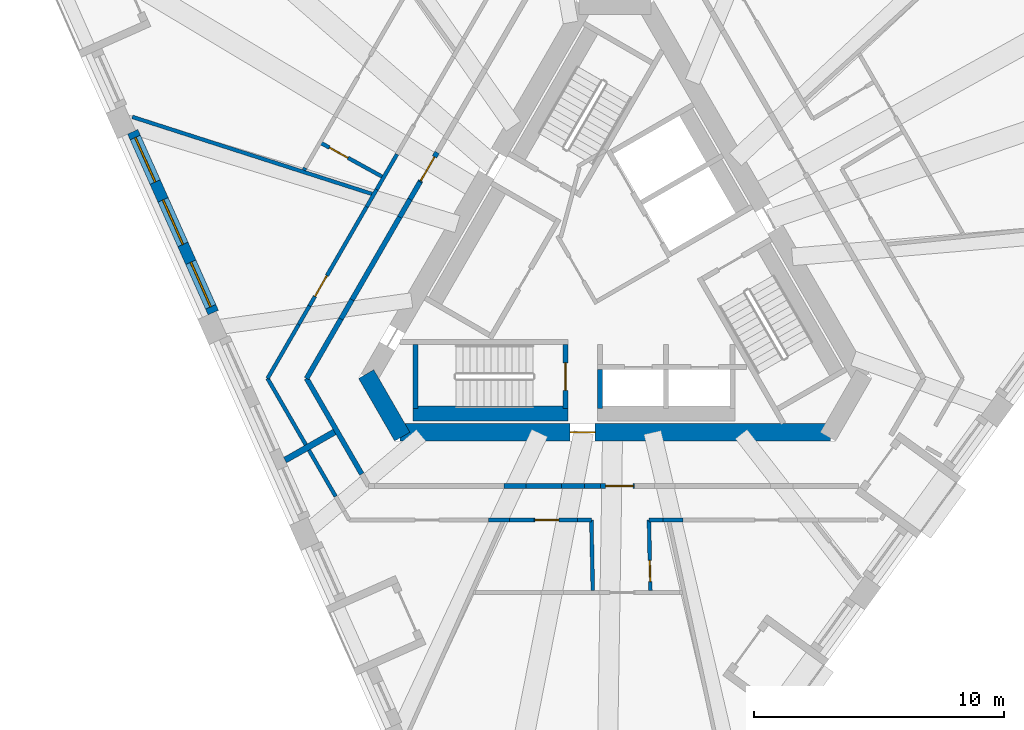
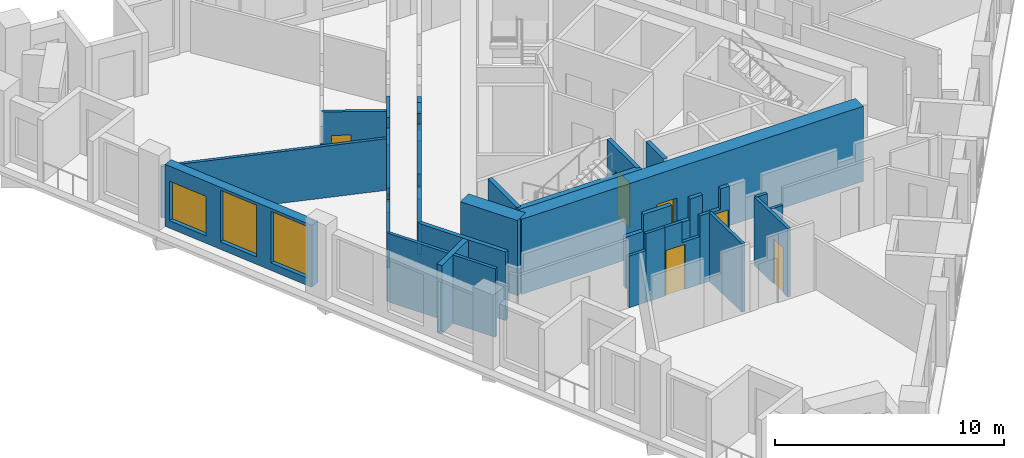
# One storey, part 3 of 11: 37 walls, 8 doors, 3 windows, 11 openings.
"""IFC4 building model written with IfcOpenShell, lengths in metres."""

from ifc_helpers import new_model, si_unit, direction, frame, frame_2d, origin, place, context, subcontext, project, spatial, polyline, rectangle, outline, extrude, material, layer, layer_set, type_object, element, fill, save


model = new_model("IFC4")

# Units and contexts
model_context = context("Model", 3, precision=1e-05, world=origin(), true_north=direction((0.0, 1.0)))
body_context = subcontext(model_context, "Body", "Model", "MODEL_VIEW")
ifc_project = project(units=[si_unit("LENGTHUNIT", "METRE"), si_unit("AREAUNIT", "SQUARE_METRE"), si_unit("VOLUMEUNIT", "CUBIC_METRE"), si_unit("PLANEANGLEUNIT", "RADIAN"), si_unit("MASSUNIT", "GRAM", prefix="KILO")], contexts=[model_context])

# Site, building, storey
site_placement = place(None, origin())
site = spatial("IfcSite", under=ifc_project, at=site_placement, CompositionType="ELEMENT")
building_placement = place(site_placement, origin())
building = spatial("IfcBuilding", under=site, at=building_placement, Name="Tramontana Tower", CompositionType="ELEMENT")
storey_placement = place(building_placement, frame((0.0, 0.0, 245.199951171875)))
storey = spatial("IfcBuildingStorey", under=building, at=storey_placement, Name="L57", CompositionType="ELEMENT", Elevation=245.199951171875)

# Wall
ifc_material_1 = material(Name="Concrete 70 MPa", Category="concrete")
ifc_layer_1 = layer(ifc_material_1, 0.699951171875)
ifc_layer_set_1 = layer_set([ifc_layer_1], Name="Core wall 700 70 MPa")
wall_type_1 = type_object("IfcWallType", Name="Core wall 700 70 MPa", PredefinedType="SHEAR", material=ifc_layer_set_1)
wall_1_placement = place(storey_placement, frame((-9.94482421875, -4.074951171875, 0.0), z_axis=(0.0, 0.0, 1.0), x_axis=(0.499995765644, -0.866027848477, 0.0)))
element("IfcWall", 1, at=wall_1_placement, inside=storey, type_object=wall_type_1, Name="Core wall C2 L57", PredefinedType="SHEAR", context=body_context, shape_type="SweptSolid", body=[
    extrude(rectangle(XDim=2.88671875, YDim=0.699951171875, at=frame_2d((1.443359375, 0.0))), origin(), (0.0, 0.0, 1.0), 4.0),
])

# Wall, opening, door
wall_2_placement = place(storey_placement, frame((-8.6025390625, -6.39990234375, 0.0), z_axis=(0.0, 0.0, 1.0), x_axis=(1.0, 0.0, 0.0)))
wall_2 = element("IfcWall", 2, at=wall_2_placement, inside=storey, type_object=wall_type_1, Name="Core wall C3 L57", PredefinedType="SHEAR", context=body_context, shape_type="SweptSolid", body=[
    extrude(rectangle(XDim=17.205078125, YDim=0.699951171875, at=frame_2d((8.6025390625, 0.0))), origin(), (0.0, 0.0, 1.0), 4.0),
])
opening_1_placement = place(wall_2_placement, frame((6.8076171875, 0.0, 0.0)))
opening_1 = element("IfcOpeningElement", 3, at=opening_1_placement, cuts=wall_2, Name="Opening RG2", PredefinedType="OPENING", context=body_context, shape_type="SweptSolid", body=[
    extrude(rectangle(XDim=1.0, YDim=2.39990234375, at=frame_2d((0.5, 1.199951171875))), frame((0.0, 0.35986328125, 0.0), z_axis=(0.0, -1.0, 0.0), x_axis=(1.0, 0.0, 0.0)), (0.0, 0.0, 1.0), 0.719970703125),
])
ifc_material_2 = material(Name="Painted steel", Category="steel")
door_type_1 = type_object("IfcDoorType", Name="RING DOOR 1000", OperationType="SINGLE_SWING_LEFT", PredefinedType="DOOR", material=ifc_material_2)
door_1_placement = place(opening_1_placement, origin())
door_1 = element("IfcDoor", 4, at=door_1_placement, inside=storey, type_object=door_type_1, Name="Door RG2", OperationType="SINGLE_SWING_RIGHT", OverallHeight=2.39990234375, OverallWidth=1.0, PredefinedType="DOOR", context=body_context, shape_type="SweptSolid", body=[
    extrude(rectangle(XDim=1.0, YDim=2.39990234375, at=frame_2d((0.5, 1.199951171875))), frame((0.0, 0.02490234375, 0.0), z_axis=(0.0, -1.0, 0.0), x_axis=(1.0, 0.0, 0.0)), (0.0, 0.0, 1.0), 0.050048828125),
])
fill(opening_1, door_1)

ifc_material_3 = material(Name="Blockwork", Category="masonry")
ifc_layer_2 = layer(ifc_material_3, 0.199951171875)
ifc_layer_set_2 = layer_set([ifc_layer_2], Name="ENTRY WALL 200")
wall_type_2 = type_object("IfcWallType", Name="ENTRY WALL 200", PredefinedType="SOLIDWALL", material=ifc_layer_set_2)
wall_3_placement = place(storey_placement, frame((0.774169921875, -8.550048828125, 0.0), z_axis=(0.0, 0.0, 1.0), x_axis=(-1.0, 0.0, 0.0)))
wall_3 = element("IfcWall", 5, at=wall_3_placement, inside=storey, type_object=wall_type_2, Name="Wall v60-ew1-5", PredefinedType="SOLIDWALL", context=body_context, shape_type="SweptSolid", body=[
    extrude(outline(polyline([(0.0, 0.0), (1.359375, 0.0), (1.359375, 2.550048828125), (0.459228515625, 2.550048828125), (0.459228515625, 3.650146484375), (0.0, 3.650146484375), (0.0, 0.0)])), frame((0.0, 0.10009765625, 0.0), z_axis=(0.0, -1.0, 0.0), x_axis=(1.0, 0.0, 0.0)), (0.0, 0.0, 1.0), 0.199951171875),
])
opening_2_placement = place(wall_3_placement, frame((0.050048828125, 0.0, 0.0)))
opening_2 = element("IfcOpeningElement", 6, at=opening_2_placement, cuts=wall_3, Name="Opening B6A-18", PredefinedType="OPENING", context=body_context, shape_type="SweptSolid", body=[
    extrude(rectangle(XDim=1.10009765625, YDim=2.39990234375, at=frame_2d((0.550048828125, 1.199951171875))), frame((0.0, 0.10986328125, 0.0), z_axis=(0.0, -1.0, 0.0), x_axis=(1.0, 0.0, 0.0)), (0.0, 0.0, 1.0), 0.219970703125),
])
ifc_material_4 = material(Name="Painted timber", Category="wood")
door_type_2 = type_object("IfcDoorType", Name="DOOR ENTRY 1100", OperationType="SINGLE_SWING_LEFT", PredefinedType="DOOR", material=ifc_material_4)
door_2_placement = place(opening_2_placement, origin())
door_2 = element("IfcDoor", 7, at=door_2_placement, inside=storey, type_object=door_type_2, Name="Door B6A-18", OperationType="SINGLE_SWING_RIGHT", OverallHeight=2.39990234375, OverallWidth=1.10009765625, PredefinedType="DOOR", context=body_context, shape_type="SweptSolid", body=[
    extrude(rectangle(XDim=1.10009765625, YDim=2.39990234375, at=frame_2d((0.550048828125, 1.199951171875))), frame((0.0, 0.02490234375, 0.0), z_axis=(0.0, -1.0, 0.0), x_axis=(1.0, 0.0, 0.0)), (0.0, 0.0, 1.0), 0.050048828125),
])
fill(opening_2, door_2)

# Walls
wall_4_placement = place(storey_placement, frame((-0.585205078125, -8.550048828125, 0.0), z_axis=(0.0, 0.0, 1.0), x_axis=(-1.0, 0.0, 0.0)))
element("IfcWall", 8, at=wall_4_placement, inside=storey, type_object=wall_type_2, Name="Wall v60-ew1-6", PredefinedType="SOLIDWALL", context=body_context, shape_type="SweptSolid", body=[
    extrude(rectangle(XDim=0.6328125, YDim=0.199951171875, at=frame_2d((0.31640625, 0.0))), origin(), (0.0, 0.0, 1.0), 3.650146484375),
])
wall_5_placement = place(storey_placement, frame((-1.218017578125, -8.550048828125, 0.0), z_axis=(0.0, 0.0, 1.0), x_axis=(-1.0, 0.0, 0.0)))
element("IfcWall", 9, at=wall_5_placement, inside=storey, type_object=wall_type_2, Name="Wall v60-ew1-7", PredefinedType="SOLIDWALL", context=body_context, shape_type="SweptSolid", body=[
    extrude(rectangle(XDim=0.9169921875, YDim=0.199951171875, at=frame_2d((0.45849609375, 0.0))), origin(), (0.0, 0.0, 1.0), 2.550048828125),
])
wall_6_placement = place(storey_placement, frame((-2.135009765625, -8.550048828125, 0.0), z_axis=(0.0, 0.0, 1.0), x_axis=(-1.0, 0.0, 0.0)))
element("IfcWall", 10, at=wall_6_placement, inside=storey, type_object=wall_type_2, Name="Wall v60-ew1-8", PredefinedType="SOLIDWALL", context=body_context, shape_type="SweptSolid", body=[
    extrude(rectangle(XDim=1.4296875, YDim=0.199951171875, at=frame_2d((0.71484375, 0.0))), origin(), (0.0, 0.0, 1.0), 3.650146484375),
])
wall_7_placement = place(storey_placement, frame((-3.564697265625, -8.550048828125, 0.0), z_axis=(0.0, 0.0, 1.0), x_axis=(-1.0, 0.0, 0.0)))
element("IfcWall", 11, at=wall_7_placement, inside=storey, type_object=wall_type_2, Name="Wall v60-ew1-9", PredefinedType="SOLIDWALL", context=body_context, shape_type="SweptSolid", body=[
    extrude(rectangle(XDim=0.88330078125, YDim=0.199951171875, at=frame_2d((0.441650390625, 0.0))), origin(), (0.0, 0.0, 1.0), 2.75),
])
wall_8_placement = place(storey_placement, frame((-10.12255859375, -8.067138671875, 0.0), z_axis=(0.0, 0.0, 1.0), x_axis=(-0.500005339912, 0.866022320763, 0.0)))
element("IfcWall", 12, at=wall_8_placement, inside=storey, type_object=wall_type_2, Name="Wall v60-ew2-1", PredefinedType="SOLIDWALL", context=body_context, shape_type="SweptSolid", body=[
    extrude(rectangle(XDim=4.40771484375, YDim=0.199951171875, at=frame_2d((2.203857421875, 0.0))), origin(), (0.0, 0.0, 1.0), 3.650146484375),
])
wall_9_placement = place(storey_placement, frame((-12.326416015625, -4.25, 0.0), z_axis=(0.0, 0.0, 1.0), x_axis=(0.499994514761, 0.866028570666, 0.0)))
element("IfcWall", 13, at=wall_9_placement, inside=storey, type_object=wall_type_2, Name="Wall v60-ew3-0", PredefinedType="SOLIDWALL", context=body_context, shape_type="SweptSolid", body=[
    extrude(rectangle(XDim=2.74462890625, YDim=0.199951171875, at=frame_2d((1.372314453125, 0.0))), origin(), (0.0, 0.0, 1.0), 3.650146484375),
])
wall_10_placement = place(storey_placement, frame((-10.9541015625, -1.873046875, 0.0), z_axis=(0.0, 0.0, 1.0), x_axis=(0.500016243463, 0.866016025414, 0.0)))
element("IfcWall", 14, at=wall_10_placement, inside=storey, type_object=wall_type_2, Name="Wall v60-ew3-1", PredefinedType="SOLIDWALL", context=body_context, shape_type="SweptSolid", body=[
    extrude(rectangle(XDim=0.88720703125, YDim=0.199951171875, at=frame_2d((0.443603515625, 0.0))), origin(), (0.0, 0.0, 1.0), 2.949951171875),
])
wall_11_placement = place(storey_placement, frame((-10.510498046875, -1.104736328125, 0.0), z_axis=(0.0, 0.0, 1.0), x_axis=(0.499997905474, 0.866026613056, 0.0)))
element("IfcWall", 15, at=wall_11_placement, inside=storey, type_object=wall_type_2, Name="Wall v60-ew3-2", PredefinedType="SOLIDWALL", context=body_context, shape_type="SweptSolid", body=[
    extrude(rectangle(XDim=3.810546875, YDim=0.199951171875, at=frame_2d((1.9052734375, 0.0))), origin(), (0.0, 0.0, 1.0), 3.650146484375),
])
wall_12_placement = place(storey_placement, frame((-8.605224609375, 2.1953125, 0.0), z_axis=(0.0, 0.0, 1.0), x_axis=(0.499911126926, 0.866076708598, 0.0)))
element("IfcWall", 16, at=wall_12_placement, inside=storey, type_object=wall_type_2, Name="Wall v60-ew3-3", PredefinedType="SOLIDWALL", context=body_context, shape_type="SweptSolid", body=[
    extrude(rectangle(XDim=0.821533203125, YDim=0.199951171875, at=frame_2d((0.41064453125, 0.0))), origin(), (0.0, 0.0, 1.0), 2.75),
])
wall_13_placement = place(storey_placement, frame((-8.194580078125, 2.90673828125, 0.0), z_axis=(0.0, 0.0, 1.0), x_axis=(0.500211976125, 0.865902984716, 0.0)))
element("IfcWall", 17, at=wall_13_placement, inside=storey, type_object=wall_type_2, Name="Wall v60-ew3-4", PredefinedType="SOLIDWALL", context=body_context, shape_type="SweptSolid", body=[
    extrude(rectangle(XDim=0.805908203125, YDim=0.199951171875, at=frame_2d((0.40283203125, 0.0))), origin(), (0.0, 0.0, 1.0), 3.650146484375),
])

# Wall, opening, door
wall_14_placement = place(storey_placement, frame((-7.79150390625, 3.6044921875, 0.0), z_axis=(0.0, 0.0, 1.0), x_axis=(0.500002290144, 0.866024081565, 0.0)))
wall_14 = element("IfcWall", 18, at=wall_14_placement, inside=storey, type_object=wall_type_2, Name="Wall v60-ew3-5", PredefinedType="SOLIDWALL", context=body_context, shape_type="SweptSolid", body=[
    extrude(outline(polyline([(0.0, 0.0), (1.359375, 0.0), (1.359375, 2.550048828125), (0.459228515625, 2.550048828125), (0.459228515625, 3.650146484375), (0.0, 3.650146484375), (0.0, 0.0)])), frame((0.0, 0.10009765625, 0.0), z_axis=(0.0, -1.0, 0.0), x_axis=(1.0, 0.0, 0.0)), (0.0, 0.0, 1.0), 0.199951171875),
])
opening_3_placement = place(wall_14_placement, frame((0.050048828125, 0.0, 0.0)))
opening_3 = element("IfcOpeningElement", 19, at=opening_3_placement, cuts=wall_14, Name="Opening B6A-17", PredefinedType="OPENING", context=body_context, shape_type="SweptSolid", body=[
    extrude(rectangle(XDim=1.10009765625, YDim=2.39990234375, at=frame_2d((0.550048828125, 1.199951171875))), frame((0.0, 0.10986328125, 0.0), z_axis=(0.0, -1.0, 0.0), x_axis=(1.0, 0.0, 0.0)), (0.0, 0.0, 1.0), 0.219970703125),
])
door_3_placement = place(opening_3_placement, origin())
door_3 = element("IfcDoor", 20, at=door_3_placement, inside=storey, type_object=door_type_2, Name="Door B6A-17", OperationType="SINGLE_SWING_LEFT", OverallHeight=2.39990234375, OverallWidth=1.10009765625, PredefinedType="DOOR", context=body_context, shape_type="SweptSolid", body=[
    extrude(rectangle(XDim=1.10009765625, YDim=2.39990234375, at=frame_2d((0.550048828125, 1.199951171875))), frame((0.0, 0.02490234375, 0.0), z_axis=(0.0, -1.0, 0.0), x_axis=(1.0, 0.0, 0.0)), (0.0, 0.0, 1.0), 0.050048828125),
])
fill(opening_3, door_3)

# Wall, openings, windows
ifc_material_5 = material(Name="Precast concrete 60 MPa", Category="concrete")
ifc_layer_3 = layer(ifc_material_5, 0.449951171875)
ifc_layer_set_3 = layer_set([ifc_layer_3], Name="Precast concrete 60 MPa, 450 mm")
wall_type_3 = type_object("IfcWallType", Name="EW1 Stone-faced precast wall 450", PredefinedType="SOLIDWALL", material=ifc_layer_set_3)
wall_15_placement = place(storey_placement, frame((-19.271484375, 5.606201171875, 0.0), z_axis=(0.0, 0.0, 1.0), x_axis=(0.406760076741, -0.913535023942, 0.0)))
wall_15 = element("IfcWall", 21, at=wall_15_placement, inside=storey, type_object=wall_type_3, Name="External wall L57 face 0 bay 2", PredefinedType="SOLIDWALL", context=body_context, shape_type="SweptSolid", body=[
    extrude(rectangle(XDim=7.906494140625, YDim=0.449951171875, at=frame_2d((3.953125, 0.0))), origin(), (0.0, 0.0, 1.0), 3.300048828125),
])
opening_4_placement = place(wall_15_placement, frame((0.251220703125, 0.0, 0.39990234375)))
opening_4 = element("IfcOpeningElement", 22, at=opening_4_placement, cuts=wall_15, Name="Opening M3L", PredefinedType="OPENING", context=body_context, shape_type="SweptSolid", body=[
    extrude(rectangle(XDim=1.949951171875, YDim=2.10009765625, at=frame_2d((0.97509765625, 1.050048828125))), frame((0.0, 0.23486328125, 0.0), z_axis=(0.0, -1.0, 0.0), x_axis=(1.0, 0.0, 0.0)), (0.0, 0.0, 1.0), 0.469970703125),
])
opening_5_placement = place(wall_15_placement, frame((2.978271484375, 0.0, 0.39990234375)))
opening_5 = element("IfcOpeningElement", 23, at=opening_5_placement, cuts=wall_15, Name="Opening M3", PredefinedType="OPENING", context=body_context, shape_type="SweptSolid", body=[
    extrude(rectangle(XDim=1.949951171875, YDim=2.75, at=frame_2d((0.97509765625, 1.375))), frame((0.0, 0.23486328125, 0.0), z_axis=(0.0, -1.0, 0.0), x_axis=(1.0, 0.0, 0.0)), (0.0, 0.0, 1.0), 0.469970703125),
])
opening_6_placement = place(wall_15_placement, frame((5.70556640625, 0.0, 0.39990234375)))
opening_6 = element("IfcOpeningElement", 24, at=opening_6_placement, cuts=wall_15, Name="Opening M3", PredefinedType="OPENING", context=body_context, shape_type="SweptSolid", body=[
    extrude(rectangle(XDim=1.949951171875, YDim=2.75, at=frame_2d((0.97509765625, 1.375))), frame((0.0, 0.23486328125, 0.0), z_axis=(0.0, -1.0, 0.0), x_axis=(1.0, 0.0, 0.0)), (0.0, 0.0, 1.0), 0.469970703125),
])
ifc_material_6 = material(Name="Aluminum frame, double glazing unit", Category="aluminium")
window_type_1 = type_object("IfcWindowType", Name="M3 Window 1.95 x 2.75", PartitioningType="SINGLE_PANEL", PredefinedType="WINDOW", material=ifc_material_6)
window_1_placement = place(opening_5_placement, origin())
window_1 = element("IfcWindow", 25, at=window_1_placement, inside=storey, type_object=window_type_1, Name="Window M3 L57 face 0 module 5", OverallHeight=2.75, OverallWidth=1.949951171875, PartitioningType="SINGLE_PANEL", PredefinedType="WINDOW", context=body_context, shape_type="SweptSolid", body=[
    extrude(rectangle(XDim=1.949951171875, YDim=2.75, at=frame_2d((0.97509765625, 1.375))), frame((0.0, 0.030029296875, 0.0), z_axis=(0.0, -1.0, 0.0), x_axis=(1.0, 0.0, 0.0)), (0.0, 0.0, 1.0), 0.06005859375),
])
fill(opening_5, window_1)
window_2_placement = place(opening_6_placement, origin())
window_2 = element("IfcWindow", 26, at=window_2_placement, inside=storey, type_object=window_type_1, Name="Window M3 L57 face 0 module 6", OverallHeight=2.75, OverallWidth=1.949951171875, PartitioningType="SINGLE_PANEL", PredefinedType="WINDOW", context=body_context, shape_type="SweptSolid", body=[
    extrude(rectangle(XDim=1.949951171875, YDim=2.75, at=frame_2d((0.97509765625, 1.375))), frame((0.0, 0.030029296875, 0.0), z_axis=(0.0, -1.0, 0.0), x_axis=(1.0, 0.0, 0.0)), (0.0, 0.0, 1.0), 0.06005859375),
])
fill(opening_6, window_2)
ifc_material_7 = material(Name="Aluminum frame, double glazing unit", Category="aluminium")
window_type_2 = type_object("IfcWindowType", Name="M3L Window 1.95 x 2.1", PartitioningType="SINGLE_PANEL", PredefinedType="WINDOW", material=ifc_material_7)
window_3_placement = place(opening_4_placement, origin())
window_3 = element("IfcWindow", 27, at=window_3_placement, inside=storey, type_object=window_type_2, Name="Window M3L L57 face 0 module 4", OverallHeight=2.10009765625, OverallWidth=1.949951171875, PartitioningType="SINGLE_PANEL", PredefinedType="WINDOW", context=body_context, shape_type="SweptSolid", body=[
    extrude(rectangle(XDim=1.949951171875, YDim=2.10009765625, at=frame_2d((0.97509765625, 1.050048828125))), frame((0.0, 0.030029296875, 0.0), z_axis=(0.0, -1.0, 0.0), x_axis=(1.0, 0.0, 0.0)), (0.0, 0.0, 1.0), 0.06005859375),
])
fill(opening_4, window_3)

# Walls
ifc_material_8 = material(Name="Gypsum board partition")
ifc_layer_4 = layer(ifc_material_8, 0.14990234375)
ifc_layer_set_4 = layer_set([ifc_layer_4], Name="PARTITION 150")
wall_type_4 = type_object("IfcWallType", Name="PARTITION 150", PredefinedType="PARTITIONING", material=ifc_layer_set_4)
wall_16_placement = place(storey_placement, frame((-13.88525390625, -4.25, 0.0), z_axis=(0.0, 0.0, 1.0), x_axis=(0.499999788377, 0.866025525965, 0.0)))
element("IfcWall", 28, at=wall_16_placement, inside=storey, type_object=wall_type_4, Name="Wall v60-pw00-0", PredefinedType="PARTITIONING", context=body_context, shape_type="SweptSolid", body=[
    extrude(rectangle(XDim=2.4892578125, YDim=0.14990234375, at=frame_2d((1.24462890625, 0.0))), origin(), (0.0, 0.0, 1.0), 3.650146484375),
])
wall_17_placement = place(storey_placement, frame((-12.640625, -2.09423828125, 0.0), z_axis=(0.0, 0.0, 1.0), x_axis=(0.500068347527, 0.865985939725, 0.0)))
element("IfcWall", 29, at=wall_17_placement, inside=storey, type_object=wall_type_4, Name="Wall v60-pw00-1", PredefinedType="PARTITIONING", context=body_context, shape_type="SweptSolid", body=[
    extrude(rectangle(XDim=0.85546875, YDim=0.14990234375, at=frame_2d((0.427734375, 0.0))), origin(), (0.0, 0.0, 1.0), 2.949951171875),
])

# Wall, opening, door
wall_18_placement = place(storey_placement, frame((-12.212890625, -1.353515625, 0.0), z_axis=(0.0, 0.0, 1.0), x_axis=(0.500001111708, 0.866024761939, 0.0)))
wall_18 = element("IfcWall", 30, at=wall_18_placement, inside=storey, type_object=wall_type_4, Name="Wall v60-pw00-2", PredefinedType="PARTITIONING", context=body_context, shape_type="SweptSolid", body=[
    extrude(rectangle(XDim=4.57568359375, YDim=0.14990234375, at=frame_2d((2.287841796875, 0.0))), origin(), (0.0, 0.0, 1.0), 3.650146484375),
])
opening_7_placement = place(wall_18_placement, frame((0.445068359375, 0.0, 0.0)))
opening_7 = element("IfcOpeningElement", 31, at=opening_7_placement, cuts=wall_18, Name="Opening B6A-03", PredefinedType="OPENING", context=body_context, shape_type="SweptSolid", body=[
    extrude(rectangle(XDim=0.949951171875, YDim=2.39990234375, at=frame_2d((0.47509765625, 1.199951171875))), frame((0.0, 0.0849609375, 0.0), z_axis=(0.0, -1.0, 0.0), x_axis=(1.0, 0.0, 0.0)), (0.0, 0.0, 1.0), 0.169921875),
])
ifc_material_9 = material(Name="Painted timber", Category="wood")
door_type_3 = type_object("IfcDoorType", Name="DOOR ROOM 950", OperationType="SINGLE_SWING_LEFT", PredefinedType="DOOR", material=ifc_material_9)
door_4_placement = place(opening_7_placement, origin())
door_4 = element("IfcDoor", 32, at=door_4_placement, inside=storey, type_object=door_type_3, Name="Door B6A-03", OperationType="SINGLE_SWING_LEFT", OverallHeight=2.39990234375, OverallWidth=0.949951171875, PredefinedType="DOOR", context=body_context, shape_type="SweptSolid", body=[
    extrude(rectangle(XDim=0.949951171875, YDim=2.39990234375, at=frame_2d((0.47509765625, 1.199951171875))), frame((0.0, 0.02490234375, 0.0), z_axis=(0.0, -1.0, 0.0), x_axis=(1.0, 0.0, 0.0)), (0.0, 0.0, 1.0), 0.050048828125),
])
fill(opening_7, door_4)

# Walls
wall_19_placement = place(storey_placement, frame((-9.925048828125, 2.609130859375, 0.0), z_axis=(0.0, 0.0, 1.0), x_axis=(0.499802134818, 0.866139611167, 0.0)))
element("IfcWall", 33, at=wall_19_placement, inside=storey, type_object=wall_type_4, Name="Wall v60-pw00-3", PredefinedType="PARTITIONING", context=body_context, shape_type="SweptSolid", body=[
    extrude(rectangle(XDim=0.795654296875, YDim=0.14990234375, at=frame_2d((0.39794921875, 0.0))), origin(), (0.0, 0.0, 1.0), 2.75),
])
wall_20_placement = place(storey_placement, frame((-9.52734375, 3.29833984375, 0.0), z_axis=(0.0, 0.0, 1.0), x_axis=(0.500094991843, 0.865970553272, 0.0)))
element("IfcWall", 34, at=wall_20_placement, inside=storey, type_object=wall_type_4, Name="Wall v60-pw00-4", PredefinedType="PARTITIONING", context=body_context, shape_type="SweptSolid", body=[
    extrude(rectangle(XDim=1.626220703125, YDim=0.14990234375, at=frame_2d((0.81298828125, 0.0))), origin(), (0.0, 0.0, 1.0), 3.650146484375),
])
wall_21_placement = place(storey_placement, frame((-12.42822265625, 4.07373046875, 0.0), z_axis=(0.0, 0.0, 1.0), x_axis=(0.500943559977, 0.865479953388, 0.0)))
element("IfcWall", 35, at=wall_21_placement, inside=storey, type_object=wall_type_4, Name="Wall v60-pw01-0", PredefinedType="PARTITIONING", context=body_context, shape_type="SweptSolid", body=[
    extrude(rectangle(XDim=0.103759765625, YDim=0.14990234375, at=frame_2d((0.0517578125, 0.0))), origin(), (0.0, 0.0, 1.0), 2.75),
])
wall_22_placement = place(storey_placement, frame((-11.1650390625, -8.96142578125, 0.0), z_axis=(0.0, 0.0, 1.0), x_axis=(-0.500009912158, 0.866019680922, 0.0)))
element("IfcWall", 36, at=wall_22_placement, inside=storey, type_object=wall_type_4, Name="Wall v60-pw04-2", PredefinedType="PARTITIONING", context=body_context, shape_type="SweptSolid", body=[
    extrude(rectangle(XDim=5.4404296875, YDim=0.14990234375, at=frame_2d((2.72021484375, 0.0))), origin(), (0.0, 0.0, 1.0), 3.650146484375),
])
wall_23_placement = place(storey_placement, frame((-9.715087890625, 3.122802734375, 0.0), z_axis=(0.0, 0.0, 1.0), x_axis=(-0.952031844805, 0.305998964831, 0.0)))
element("IfcWall", 37, at=wall_23_placement, inside=storey, type_object=wall_type_4, Name="Wall v60-pw05-0", PredefinedType="PARTITIONING", context=body_context, shape_type="SweptSolid", body=[
    extrude(rectangle(XDim=10.056884765625, YDim=0.14990234375, at=frame_2d((5.0283203125, 0.0))), origin(), (0.0, 0.0, 1.0), 2.75),
])

# Wall, opening, door
wall_24_placement = place(storey_placement, frame((-9.25048828125, 3.781982421875, 0.0), z_axis=(0.0, 0.0, 1.0), x_axis=(-0.876043224435, 0.482232587991, 0.0)))
wall_24 = element("IfcWall", 38, at=wall_24_placement, inside=storey, type_object=wall_type_4, Name="Wall v60-pw06", PredefinedType="PARTITIONING", context=body_context, shape_type="SweptSolid", body=[
    extrude(rectangle(XDim=2.896484375, YDim=0.14990234375, at=frame_2d((1.4482421875, 0.0))), origin(), (0.0, 0.0, 1.0), 3.650146484375),
])
opening_8_placement = place(wall_24_placement, frame((1.6201171875, 0.0, 0.0)))
opening_8 = element("IfcOpeningElement", 39, at=opening_8_placement, cuts=wall_24, Name="Opening B6A-16", PredefinedType="OPENING", context=body_context, shape_type="SweptSolid", body=[
    extrude(rectangle(XDim=0.85009765625, YDim=2.39990234375, at=frame_2d((0.425048828125, 1.199951171875))), frame((0.0, 0.0849609375, 0.0), z_axis=(0.0, -1.0, 0.0), x_axis=(1.0, 0.0, 0.0)), (0.0, 0.0, 1.0), 0.169921875),
])
ifc_material_10 = material(Name="Painted timber", Category="wood")
door_type_4 = type_object("IfcDoorType", Name="DOOR BATH 850", OperationType="SINGLE_SWING_LEFT", PredefinedType="DOOR", material=ifc_material_10)
door_5_placement = place(opening_8_placement, origin())
door_5 = element("IfcDoor", 40, at=door_5_placement, inside=storey, type_object=door_type_4, Name="Door B6A-16", OperationType="SINGLE_SWING_RIGHT", OverallHeight=2.39990234375, OverallWidth=0.85009765625, PredefinedType="DOOR", context=body_context, shape_type="SweptSolid", body=[
    extrude(rectangle(XDim=0.85009765625, YDim=2.39990234375, at=frame_2d((0.425048828125, 1.199951171875))), frame((0.0, 0.02490234375, 0.0), z_axis=(0.0, -1.0, 0.0), x_axis=(1.0, 0.0, 0.0)), (0.0, 0.0, 1.0), 0.050048828125),
])
fill(opening_8, door_5)

# Wall
wall_25_placement = place(storey_placement, frame((-0.948486328125, -9.89990234375, 0.0), z_axis=(0.0, 0.0, 1.0), x_axis=(-1.0, 0.0, 0.0)))
element("IfcWall", 41, at=wall_25_placement, inside=storey, type_object=wall_type_4, Name="Wall v60-pw09-0", PredefinedType="PARTITIONING", context=body_context, shape_type="SweptSolid", body=[
    extrude(rectangle(XDim=0.546875, YDim=0.14990234375, at=frame_2d((0.2734375, 0.0))), origin(), (0.0, 0.0, 1.0), 3.650146484375),
])

# Wall, opening, door
wall_26_placement = place(storey_placement, frame((-1.495361328125, -9.89990234375, 0.0), z_axis=(0.0, 0.0, 1.0), x_axis=(-1.0, 0.0, 0.0)))
wall_26 = element("IfcWall", 42, at=wall_26_placement, inside=storey, type_object=wall_type_4, Name="Wall v60-pw09-1", PredefinedType="PARTITIONING", context=body_context, shape_type="SweptSolid", body=[
    extrude(outline(polyline([(0.0, 0.0), (1.748291015625, 0.0), (1.748046875, 3.650146484375), (0.8916015625, 3.650146484375), (0.8916015625, 2.550048828125), (0.0, 2.550048828125), (0.0, 0.0)])), frame((0.0, 0.074951171875, 0.0), z_axis=(0.0, -1.0, 0.0), x_axis=(1.0, 0.0, 0.0)), (0.0, 0.0, 1.0), 0.14990234375),
])
opening_9_placement = place(wall_26_placement, frame((0.748046875, 0.0, 0.0)))
opening_9 = element("IfcOpeningElement", 43, at=opening_9_placement, cuts=wall_26, Name="Opening B6A-04", PredefinedType="OPENING", context=body_context, shape_type="SweptSolid", body=[
    extrude(rectangle(XDim=0.949951171875, YDim=2.39990234375, at=frame_2d((0.47509765625, 1.199951171875))), frame((0.0, 0.0849609375, 0.0), z_axis=(0.0, -1.0, 0.0), x_axis=(1.0, 0.0, 0.0)), (0.0, 0.0, 1.0), 0.169921875),
])
door_6_placement = place(opening_9_placement, origin())
door_6 = element("IfcDoor", 44, at=door_6_placement, inside=storey, type_object=door_type_3, Name="Door B6A-04", OperationType="SINGLE_SWING_RIGHT", OverallHeight=2.39990234375, OverallWidth=0.949951171875, PredefinedType="DOOR", context=body_context, shape_type="SweptSolid", body=[
    extrude(rectangle(XDim=0.949951171875, YDim=2.39990234375, at=frame_2d((0.47509765625, 1.199951171875))), frame((0.0, 0.02490234375, 0.0), z_axis=(0.0, -1.0, 0.0), x_axis=(1.0, 0.0, 0.0)), (0.0, 0.0, 1.0), 0.050048828125),
])
fill(opening_9, door_6)

# Walls
wall_27_placement = place(storey_placement, frame((-3.24365234375, -9.89990234375, 0.0), z_axis=(0.0, 0.0, 1.0), x_axis=(-1.0, 0.0, 0.0)))
element("IfcWall", 45, at=wall_27_placement, inside=storey, type_object=wall_type_4, Name="Wall v60-pw09-2", PredefinedType="PARTITIONING", context=body_context, shape_type="SweptSolid", body=[
    extrude(rectangle(XDim=0.96728515625, YDim=0.14990234375, at=frame_2d((0.483642578125, 0.0))), origin(), (0.0, 0.0, 1.0), 3.650146484375),
])
wall_28_placement = place(storey_placement, frame((-4.2109375, -9.89990234375, 0.0), z_axis=(0.0, 0.0, 1.0), x_axis=(-1.0, 0.0, 0.0)))
element("IfcWall", 46, at=wall_28_placement, inside=storey, type_object=wall_type_4, Name="Wall v60-pw09-3", PredefinedType="PARTITIONING", context=body_context, shape_type="SweptSolid", body=[
    extrude(rectangle(XDim=0.85595703125, YDim=0.14990234375, at=frame_2d((0.427978515625, 0.0))), origin(), (0.0, 0.0, 1.0), 2.75),
])
wall_29_placement = place(storey_placement, frame((-0.890869140625, -12.72509765625, 0.0), z_axis=(0.0, 0.0, 1.0), x_axis=(-0.020389814815, 0.999792106116, 0.0)))
element("IfcWall", 47, at=wall_29_placement, inside=storey, type_object=wall_type_4, Name="Wall v60-pw10", PredefinedType="PARTITIONING", context=body_context, shape_type="SweptSolid", body=[
    extrude(rectangle(XDim=2.82568359375, YDim=0.14990234375, at=frame_2d((1.412841796875, 0.0))), origin(), (0.0, 0.0, 1.0), 3.650146484375),
])

# Wall, opening, door
wall_30_placement = place(storey_placement, frame((1.35205078125, -9.89990234375, 0.0), z_axis=(0.0, 0.0, 1.0), x_axis=(0.020303452986, -0.999793863652, 0.0)))
wall_30 = element("IfcWall", 48, at=wall_30_placement, inside=storey, type_object=wall_type_4, Name="Wall v60-pw12", PredefinedType="PARTITIONING", context=body_context, shape_type="SweptSolid", body=[
    extrude(rectangle(XDim=2.82568359375, YDim=0.14990234375, at=frame_2d((1.412841796875, 0.0))), origin(), (0.0, 0.0, 1.0), 3.650146484375),
])
opening_10_placement = place(wall_30_placement, frame((1.6201171875, 0.0, 0.0)))
opening_10 = element("IfcOpeningElement", 49, at=opening_10_placement, cuts=wall_30, Name="Opening B6A-05", PredefinedType="OPENING", context=body_context, shape_type="SweptSolid", body=[
    extrude(rectangle(XDim=0.85009765625, YDim=2.39990234375, at=frame_2d((0.425048828125, 1.199951171875))), frame((0.0, 0.0849609375, 0.0), z_axis=(0.0, -1.0, 0.0), x_axis=(1.0, 0.0, 0.0)), (0.0, 0.0, 1.0), 0.169921875),
])
door_7_placement = place(opening_10_placement, origin())
door_7 = element("IfcDoor", 50, at=door_7_placement, inside=storey, type_object=door_type_4, Name="Door B6A-05", OperationType="SINGLE_SWING_LEFT", OverallHeight=2.39990234375, OverallWidth=0.85009765625, PredefinedType="DOOR", context=body_context, shape_type="SweptSolid", body=[
    extrude(rectangle(XDim=0.85009765625, YDim=2.39990234375, at=frame_2d((0.425048828125, 1.199951171875))), frame((0.0, 0.02490234375, 0.0), z_axis=(0.0, -1.0, 0.0), x_axis=(1.0, 0.0, 0.0)), (0.0, 0.0, 1.0), 0.050048828125),
])
fill(opening_10, door_7)

# Walls
wall_31_placement = place(storey_placement, frame((2.702880859375, -9.89990234375, 0.0), z_axis=(0.0, 0.0, 1.0), x_axis=(-1.0, 0.0, 0.0)))
element("IfcWall", 51, at=wall_31_placement, inside=storey, type_object=wall_type_4, Name="Wall v60-pw21-3", PredefinedType="PARTITIONING", context=body_context, shape_type="SweptSolid", body=[
    extrude(rectangle(XDim=0.795654296875, YDim=0.14990234375, at=frame_2d((0.39794921875, 0.0))), origin(), (0.0, 0.0, 1.0), 2.75),
])
wall_32_placement = place(storey_placement, frame((1.9072265625, -9.89990234375, 0.0), z_axis=(0.0, 0.0, 1.0), x_axis=(-1.0, 0.0, 0.0)))
element("IfcWall", 52, at=wall_32_placement, inside=storey, type_object=wall_type_4, Name="Wall v60-pw21-4", PredefinedType="PARTITIONING", context=body_context, shape_type="SweptSolid", body=[
    extrude(rectangle(XDim=0.55517578125, YDim=0.14990234375, at=frame_2d((0.277587890625, 0.0))), origin(), (0.0, 0.0, 1.0), 3.650146484375),
])
ifc_material_11 = material(Name="Blockwork", Category="masonry")
ifc_layer_5 = layer(ifc_material_11, 0.25)
ifc_layer_set_5 = layer_set([ifc_layer_5], Name="PARTY WALL 250")
wall_type_5 = type_object("IfcWallType", Name="PARTY WALL 250", PredefinedType="SOLIDWALL", material=ifc_layer_set_5)
wall_33_placement = place(storey_placement, frame((-11.2080078125, -6.386962890625, 0.0), z_axis=(0.0, 0.0, 1.0), x_axis=(-0.868850228445, -0.495075025153, 0.0)))
element("IfcWall", 53, at=wall_33_placement, inside=storey, type_object=wall_type_5, Name="Wall v60-pw03", PredefinedType="SOLIDWALL", context=body_context, shape_type="SweptSolid", body=[
    extrude(rectangle(XDim=2.2744140625, YDim=0.25, at=frame_2d((1.13720703125, 0.0))), origin(), (0.0, 0.0, 1.0), 3.650146484375),
])
ifc_material_12 = material(Name="Concrete 70 MPa", Category="concrete")
ifc_layer_6 = layer(ifc_material_12, 0.60009765625)
ifc_layer_set_6 = layer_set([ifc_layer_6], Name="Concrete 70 MPa, 600 mm")
wall_type_6 = type_object("IfcWallType", Name="RC SHAFT BACK WALL 600", PredefinedType="SOLIDWALL", material=ifc_layer_set_6)
wall_34_placement = place(storey_placement, frame((-8.080078125, -5.64990234375, 0.0), z_axis=(0.0, 0.0, 1.0), x_axis=(1.0, 0.0, 0.0)))
element("IfcWall", 54, at=wall_34_placement, inside=storey, type_object=wall_type_6, Name="Wall st2-back", PredefinedType="SOLIDWALL", context=body_context, shape_type="SweptSolid", body=[
    extrude(rectangle(XDim=6.2001953125, YDim=0.60009765625, at=frame_2d((3.10009765625, 0.0))), origin(), (0.0, 0.0, 1.0), 3.650146484375),
])
ifc_material_13 = material(Name="Concrete 70 MPa", Category="concrete")
ifc_layer_7 = layer(ifc_material_13, 0.199951171875)
ifc_layer_set_7 = layer_set([ifc_layer_7], Name="Concrete 70 MPa, 200 mm")
wall_type_7 = type_object("IfcWallType", Name="RC STAIR AND SHAFT WALL 200", PredefinedType="SOLIDWALL", material=ifc_layer_set_7)
wall_35_placement = place(storey_placement, frame((-7.97998046875, -2.89990234375, 0.0), z_axis=(0.0, 0.0, 1.0), x_axis=(0.0, -1.0, 0.0)))
element("IfcWall", 55, at=wall_35_placement, inside=storey, type_object=wall_type_7, Name="Wall st2-far", PredefinedType="SOLIDWALL", context=body_context, shape_type="SweptSolid", body=[
    extrude(rectangle(XDim=2.550048828125, YDim=0.199951171875, at=frame_2d((1.27490234375, 0.0))), origin(), (0.0, 0.0, 1.0), 3.650146484375),
])

# Wall, opening, door
wall_36_placement = place(storey_placement, frame((-1.97998046875, -2.89990234375, 0.0), z_axis=(0.0, 0.0, 1.0), x_axis=(0.0, -1.0, 0.0)))
wall_36 = element("IfcWall", 56, at=wall_36_placement, inside=storey, type_object=wall_type_7, Name="Wall st2-near", PredefinedType="SOLIDWALL", context=body_context, shape_type="SweptSolid", body=[
    extrude(rectangle(XDim=2.550048828125, YDim=0.199951171875, at=frame_2d((1.27490234375, 0.0))), origin(), (0.0, 0.0, 1.0), 3.650146484375),
])
opening_11_placement = place(wall_36_placement, frame((0.72509765625, 0.0, 0.0)))
opening_11 = element("IfcOpeningElement", 57, at=opening_11_placement, cuts=wall_36, Name="Opening SD2", PredefinedType="OPENING", context=body_context, shape_type="SweptSolid", body=[
    extrude(rectangle(XDim=1.10009765625, YDim=2.39990234375, at=frame_2d((0.550048828125, 1.199951171875))), frame((0.0, 0.10986328125, 0.0), z_axis=(0.0, -1.0, 0.0), x_axis=(1.0, 0.0, 0.0)), (0.0, 0.0, 1.0), 0.219970703125),
])
ifc_material_14 = material(Name="Painted steel", Category="steel")
door_type_5 = type_object("IfcDoorType", Name="STAIR DOOR 1100", OperationType="SINGLE_SWING_LEFT", PredefinedType="DOOR", material=ifc_material_14)
door_8_placement = place(opening_11_placement, origin())
door_8 = element("IfcDoor", 58, at=door_8_placement, inside=storey, type_object=door_type_5, Name="Door SD2", OperationType="SINGLE_SWING_LEFT", OverallHeight=2.39990234375, OverallWidth=1.10009765625, PredefinedType="DOOR", context=body_context, shape_type="SweptSolid", body=[
    extrude(rectangle(XDim=1.10009765625, YDim=2.39990234375, at=frame_2d((0.550048828125, 1.199951171875))), frame((0.0, 0.02490234375, 0.0), z_axis=(0.0, -1.0, 0.0), x_axis=(1.0, 0.0, 0.0)), (0.0, 0.0, 1.0), 0.050048828125),
])
fill(opening_11, door_8)

# Wall
wall_37_placement = place(storey_placement, frame((-0.610107421875, -3.89990234375, 0.0), z_axis=(0.0, 0.0, 1.0), x_axis=(0.0, -1.0, 0.0)))
element("IfcWall", 59, at=wall_37_placement, inside=storey, type_object=wall_type_7, Name="Wall row1-side0", PredefinedType="SOLIDWALL", context=body_context, shape_type="SweptSolid", body=[
    extrude(rectangle(XDim=1.550048828125, YDim=0.199951171875, at=frame_2d((0.77490234375, 0.0))), origin(), (0.0, 0.0, 1.0), 3.650146484375),
])

save(model, "model.ifc")
